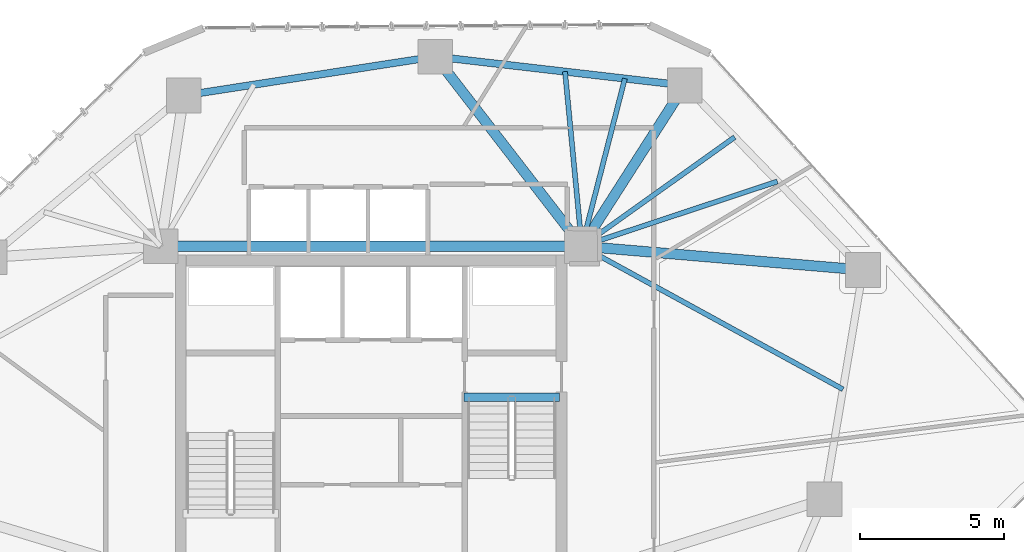
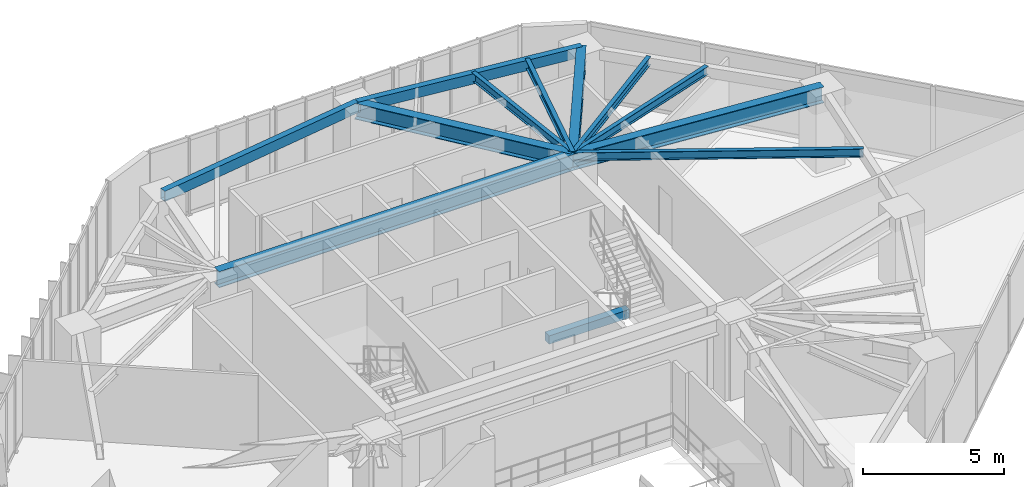
# One storey, part 11 of 21: 12 beams.
"""IFC4 building model written with IfcOpenShell, lengths in metres."""

from ifc_helpers import new_model, si_unit, direction, frame, origin, origin_2d, place, context, subcontext, project, spatial, rectangle, hollow_rectangle, i_section, extrude, material, material_profile, profile_set, type_object, element, save


model = new_model("IFC4")

# Units and contexts
model_context = context("Model", 3, precision=1e-05, world=origin(), true_north=direction((0.0, 1.0)))
body_context = subcontext(model_context, "Body", "Model", "MODEL_VIEW")
ifc_project = project(units=[si_unit("LENGTHUNIT", "METRE"), si_unit("AREAUNIT", "SQUARE_METRE"), si_unit("VOLUMEUNIT", "CUBIC_METRE"), si_unit("PLANEANGLEUNIT", "RADIAN"), si_unit("MASSUNIT", "GRAM", prefix="KILO")], contexts=[model_context])

# Site, building, storey
site_placement = place(None, origin())
site = spatial("IfcSite", under=ifc_project, at=site_placement, CompositionType="ELEMENT")
building_placement = place(site_placement, origin())
building = spatial("IfcBuilding", under=site, at=building_placement, Name="Talar Marvaseh", CompositionType="ELEMENT")
storey_placement = place(building_placement, frame((0.0, 0.0, 93.0)))
storey = spatial("IfcBuildingStorey", under=building, at=storey_placement, Name="L23", CompositionType="ELEMENT", Elevation=93.0)

# Beams
ifc_material_1 = material(Name="Concrete C40/50", Category="concrete")
ifc_material_profile_1 = material_profile(ifc_material_1, rectangle(XDim=0.300048828125, YDim=0.360107421875, at=origin_2d()), Name="RC300x360")
ifc_profile_set_1 = profile_set([ifc_material_profile_1], Name="Concrete C40/50")
beam_type_1 = type_object("IfcBeamType", Name="Concrete Stair Landing Trimmer Beam RC300x360", PredefinedType="SPANDREL", material=ifc_profile_set_1)
beam_1_placement = place(storey_placement, frame((29.219970703125, 31.669921875, -0.179931640625), z_axis=(1.0, 0.0, 0.0), x_axis=(0.0, 1.0, 0.0)))
element("IfcBeam", 1, at=beam_1_placement, inside=storey, type_object=beam_type_1, Name="L23 ST-2 Stair Nosing Trimmer Beam", PredefinedType="SPANDREL", context=body_context, shape_type="SweptSolid", body=[
    extrude(rectangle(XDim=0.300048828125, YDim=0.360107421875, at=origin_2d()), origin(), (0.0, 0.0, 1.0), 3.300048828125),
])
ifc_material_2 = material(Name="Steel S355", Category="steel")
ifc_material_profile_2 = material_profile(ifc_material_2, hollow_rectangle(XDim=0.25, YDim=0.449951171875, WallThickness=0.01611328125, at=origin_2d()), Name="RHS450x250x16")
ifc_profile_set_2 = profile_set([ifc_material_profile_2], Name="Steel S355")
beam_type_2 = type_object("IfcBeamType", Name="Zone 2 Perimeter Spandrel Beam RHS450x250x16", PredefinedType="SPANDREL", material=ifc_profile_set_2)
beam_2_placement = place(storey_placement, frame((19.5009765625, 42.123046875, 3.0849609375), z_axis=(0.988248879948, 0.152853365295, 0.0), x_axis=(-0.152853365295, 0.988248879948, 0.0)))
element("IfcBeam", 2, at=beam_2_placement, inside=storey, type_object=beam_type_2, Name="L23 Zone 2 Perimeter Spandrel Beam RHS450x250x16", PredefinedType="SPANDREL", context=body_context, shape_type="SweptSolid", body=[
    extrude(hollow_rectangle(XDim=0.25, YDim=0.449951171875, WallThickness=0.01611328125, at=origin_2d()), origin(), (0.0, 0.0, 1.0), 8.82470703125),
])
beam_3_placement = place(storey_placement, frame((28.221923828125, 43.471923828125, 3.0849609375), z_axis=(0.993361914569, -0.115030894474, 0.0), x_axis=(0.115030894474, 0.993361914569, 0.0)))
element("IfcBeam", 3, at=beam_3_placement, inside=storey, type_object=beam_type_2, Name="L23 Zone 2 Perimeter Spandrel Beam RHS450x250x16", PredefinedType="SPANDREL", context=body_context, shape_type="SweptSolid", body=[
    extrude(hollow_rectangle(XDim=0.25, YDim=0.449951171875, WallThickness=0.01611328125, at=origin_2d()), origin(), (0.0, 0.0, 1.0), 8.701904296875),
])
ifc_material_profile_3 = material_profile(ifc_material_2, i_section(OverallWidth=0.35498046875, OverallDepth=0.695068359375, WebThickness=0.015380859375, FlangeThickness=0.02490234375, at=origin_2d()), Name="W690x217")
ifc_profile_set_3 = profile_set([ifc_material_profile_3], Name="Steel S355")
beam_type_3 = type_object("IfcBeamType", Name="Zone 2 Radial Floor Girder W690x217", PredefinedType="BEAM", material=ifc_profile_set_3)
beam_4_placement = place(storey_placement, frame((18.699951171875, 36.89990234375, 2.96240234375), z_axis=(1.0, 0.0, 0.0), x_axis=(0.0, 1.0, 0.0)))
element("IfcBeam", 4, at=beam_4_placement, inside=storey, type_object=beam_type_3, Name="L23 Zone 2 Radial Floor Girder W690x217", PredefinedType="BEAM", context=body_context, shape_type="SweptSolid", body=[
    extrude(i_section(OverallWidth=0.35498046875, OverallDepth=0.695068359375, WebThickness=0.015380859375, FlangeThickness=0.02490234375, at=origin_2d()), origin(), (0.0, 0.0, 1.0), 14.60009765625),
])
beam_5_placement = place(storey_placement, frame((36.865966796875, 42.470947265625, 2.96240234375), z_axis=(-0.539101874952, -0.842240564461, 0.0), x_axis=(0.842240564461, -0.539101874952, 0.0)))
element("IfcBeam", 5, at=beam_5_placement, inside=storey, type_object=beam_type_3, Name="L23 Zone 2 Radial Floor Girder W690x217", PredefinedType="BEAM", context=body_context, shape_type="SweptSolid", body=[
    extrude(i_section(OverallWidth=0.35498046875, OverallDepth=0.695068359375, WebThickness=0.015380859375, FlangeThickness=0.02490234375, at=origin_2d()), origin(), (0.0, 0.0, 1.0), 6.614501953125),
])
beam_6_placement = place(storey_placement, frame((43.0439453125, 36.075927734375, 2.96240234375), z_axis=(-0.996443598923, 0.084262412527, 0.0), x_axis=(-0.084262412527, -0.996443598923, 0.0)))
element("IfcBeam", 6, at=beam_6_placement, inside=storey, type_object=beam_type_3, Name="L23 Zone 2 Radial Floor Girder W690x217", PredefinedType="BEAM", context=body_context, shape_type="SweptSolid", body=[
    extrude(i_section(OverallWidth=0.35498046875, OverallDepth=0.695068359375, WebThickness=0.015380859375, FlangeThickness=0.02490234375, at=origin_2d()), origin(), (0.0, 0.0, 1.0), 9.778564453125),
])
beam_7_placement = place(storey_placement, frame((28.221923828125, 43.471923828125, 2.96240234375), z_axis=(0.611428258763, -0.791299870079, 0.0), x_axis=(0.791299870079, 0.611428258763, 0.0)))
element("IfcBeam", 7, at=beam_7_placement, inside=storey, type_object=beam_type_3, Name="L23 Zone 2 Radial Floor Girder W690x217", PredefinedType="BEAM", context=body_context, shape_type="SweptSolid", body=[
    extrude(i_section(OverallWidth=0.35498046875, OverallDepth=0.695068359375, WebThickness=0.015380859375, FlangeThickness=0.02490234375, at=origin_2d()), origin(), (0.0, 0.0, 1.0), 8.305419921875),
])
ifc_material_profile_4 = material_profile(ifc_material_2, i_section(OverallWidth=0.172119140625, OverallDepth=0.35791015625, WebThickness=0.0078125, FlangeThickness=0.01318359375, at=origin_2d()), Name="W360x57")
ifc_profile_set_4 = profile_set([ifc_material_profile_4], Name="Steel S355")
beam_type_4 = type_object("IfcBeamType", Name="Zone 2 Secondary Floor Joist W360x57", PredefinedType="JOIST", material=ifc_profile_set_4)
beam_8_placement = place(storey_placement, frame((38.595703125, 40.680419921875, 3.131103515625), z_axis=(-0.813885558782, -0.581025212195, 0.0), x_axis=(0.581025212195, -0.813885558782, 0.0)))
element("IfcBeam", 8, at=beam_8_placement, inside=storey, type_object=beam_type_4, Name="L23 Zone 2 Secondary Floor Joist W360x57", PredefinedType="JOIST", context=body_context, shape_type="SweptSolid", body=[
    extrude(i_section(OverallWidth=0.172119140625, OverallDepth=0.35791015625, WebThickness=0.0078125, FlangeThickness=0.01318359375, at=origin_2d()), origin(), (0.0, 0.0, 1.0), 6.506591796875),
])
beam_9_placement = place(storey_placement, frame((40.07861328125, 39.1455078125, 3.131103515625), z_axis=(-0.949266314022, -0.314473313754, 0.0), x_axis=(0.314473313754, -0.949266314022, 0.0)))
element("IfcBeam", 9, at=beam_9_placement, inside=storey, type_object=beam_type_4, Name="L23 Zone 2 Secondary Floor Joist W360x57", PredefinedType="JOIST", context=body_context, shape_type="SweptSolid", body=[
    extrude(i_section(OverallWidth=0.172119140625, OverallDepth=0.35791015625, WebThickness=0.0078125, FlangeThickness=0.01318359375, at=origin_2d()), origin(), (0.0, 0.0, 1.0), 7.140869140625),
])
beam_10_placement = place(storey_placement, frame((42.349853515625, 31.943115234375, 3.131103515625), z_axis=(-0.877057817553, 0.480384829766, 0.0), x_axis=(-0.480384829766, -0.877057817553, 0.0)))
element("IfcBeam", 10, at=beam_10_placement, inside=storey, type_object=beam_type_4, Name="L23 Zone 2 Secondary Floor Joist W360x57", PredefinedType="JOIST", context=body_context, shape_type="SweptSolid", body=[
    extrude(i_section(OverallWidth=0.172119140625, OverallDepth=0.35791015625, WebThickness=0.0078125, FlangeThickness=0.01318359375, at=origin_2d()), origin(), (0.0, 0.0, 1.0), 10.318359375),
])
beam_11_placement = place(storey_placement, frame((32.716796875, 42.951416015625, 3.131103515625), z_axis=(0.095936604223, -0.995387446159, 0.0), x_axis=(0.995387446159, 0.095936604223, 0.0)))
element("IfcBeam", 11, at=beam_11_placement, inside=storey, type_object=beam_type_4, Name="L23 Zone 2 Secondary Floor Joist W360x57", PredefinedType="JOIST", context=body_context, shape_type="SweptSolid", body=[
    extrude(i_section(OverallWidth=0.172119140625, OverallDepth=0.35791015625, WebThickness=0.0078125, FlangeThickness=0.01318359375, at=origin_2d()), origin(), (0.0, 0.0, 1.0), 6.07958984375),
])
beam_12_placement = place(storey_placement, frame((34.79150390625, 42.711181640625, 3.131103515625), z_axis=(-0.248591710753, -0.968608363243, 0.0), x_axis=(0.968608363243, -0.248591710753, 0.0)))
element("IfcBeam", 12, at=beam_12_placement, inside=storey, type_object=beam_type_4, Name="L23 Zone 2 Secondary Floor Joist W360x57", PredefinedType="JOIST", context=body_context, shape_type="SweptSolid", body=[
    extrude(i_section(OverallWidth=0.172119140625, OverallDepth=0.35791015625, WebThickness=0.0078125, FlangeThickness=0.01318359375, at=origin_2d()), origin(), (0.0, 0.0, 1.0), 5.99951171875),
])

save(model, "model.ifc")
